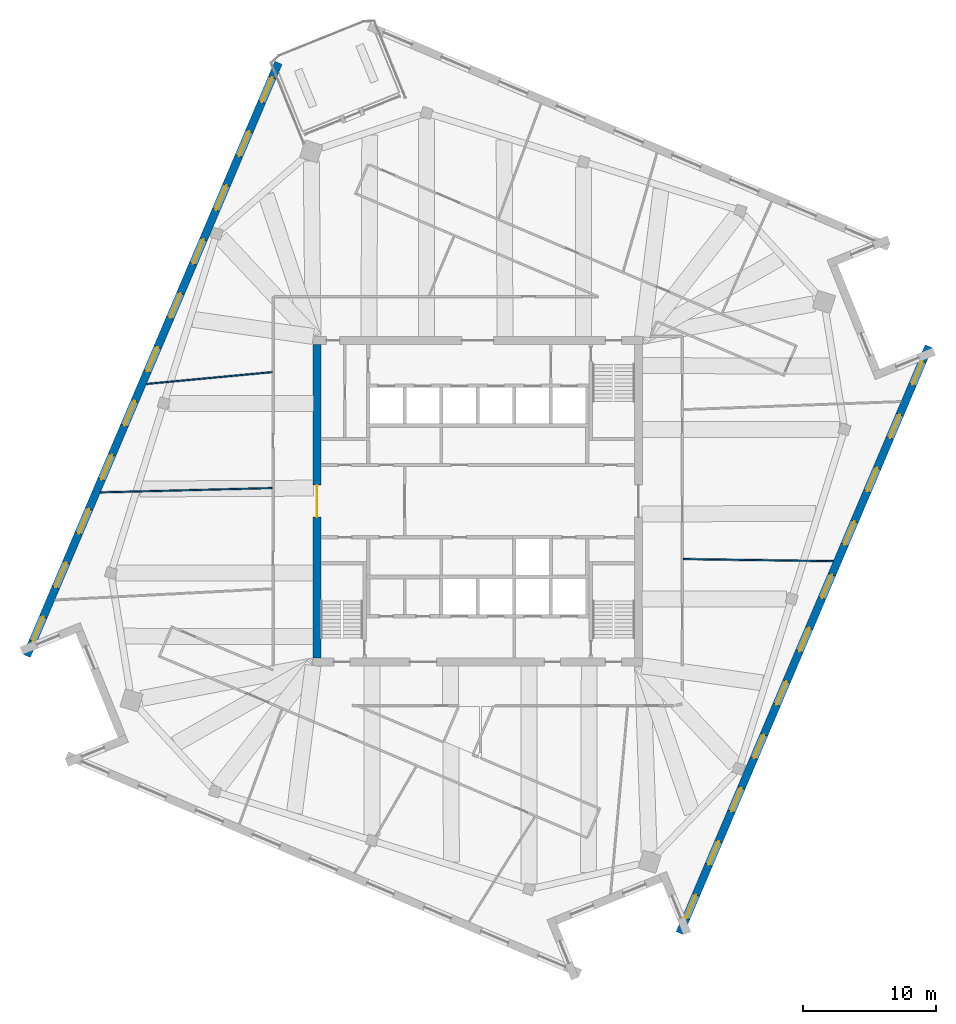
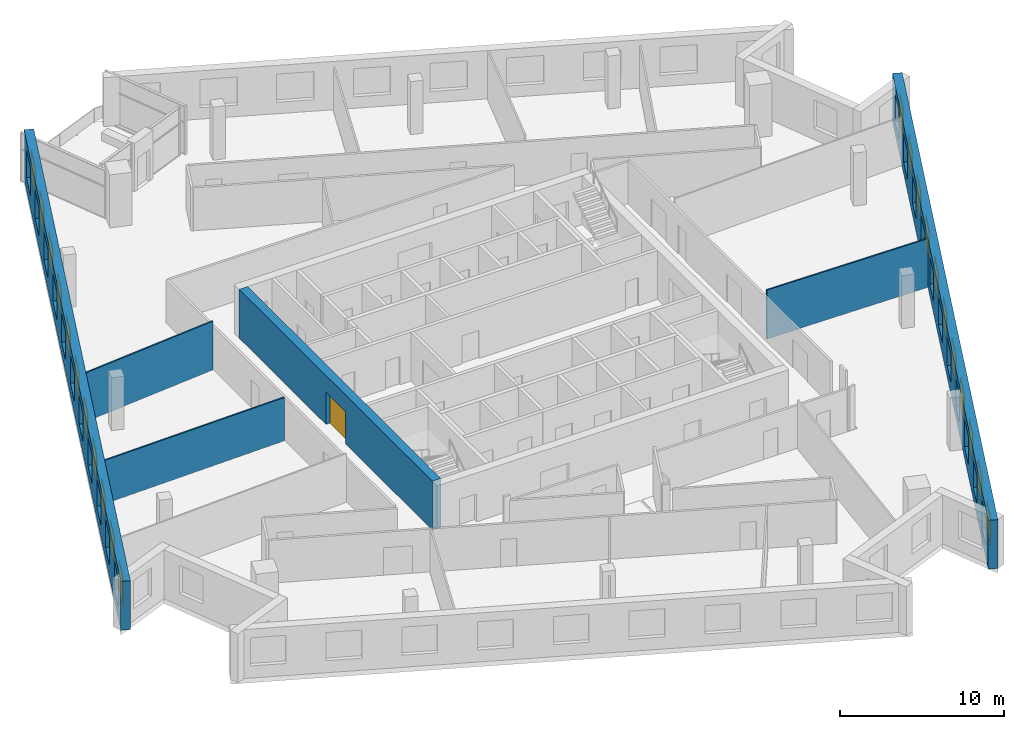
# One storey, part 8 of 13: 22 windows, 6 walls, 1 door, 23 openings.
"""IFC4 building model written with IfcOpenShell, lengths in metres."""

from ifc_helpers import new_model, si_unit, direction, frame, frame_2d, origin, place, context, subcontext, project, spatial, rectangle, extrude, material, layer, layer_set, type_object, element, fill, save


model = new_model("IFC4")

# Units and contexts
model_context = context("Model", 3, precision=1e-05, world=origin(), true_north=direction((0.0, 1.0)))
body_context = subcontext(model_context, "Body", "Model", "MODEL_VIEW")
ifc_project = project(units=[si_unit("LENGTHUNIT", "METRE"), si_unit("AREAUNIT", "SQUARE_METRE"), si_unit("VOLUMEUNIT", "CUBIC_METRE"), si_unit("PLANEANGLEUNIT", "RADIAN"), si_unit("MASSUNIT", "GRAM", prefix="KILO")], contexts=[model_context])

# Site, building, storey
site_placement = place(None, origin())
site = spatial("IfcSite", under=ifc_project, at=site_placement, CompositionType="ELEMENT")
building_placement = place(site_placement, origin())
building = spatial("IfcBuilding", under=site, at=building_placement, Name="Dilmun Exchange Tower", CompositionType="ELEMENT")
storey_placement = place(building_placement, frame((0.0, 0.0, 300.5)))
storey = spatial("IfcBuildingStorey", under=building, at=storey_placement, Name="L71", CompositionType="ELEMENT", Elevation=300.5)

# Wall, opening, door
ifc_material_1 = material(Name="Concrete C50/60", Category="concrete")
ifc_layer_1 = layer(ifc_material_1, 0.60009765625)
ifc_layer_set_1 = layer_set([ifc_layer_1], Name="Concrete C50/60")
wall_type_1 = type_object("IfcWallType", Name="Core shear wall 600 Concrete C50/60", PredefinedType="SHEAR", material=ifc_layer_set_1)
wall_1_placement = place(storey_placement, frame((-12.10009765625, -11.800048828125, 0.0), z_axis=(0.0, 0.0, 1.0), x_axis=(0.0, 1.0, 0.0)))
wall_1 = element("IfcWall", 1, at=wall_1_placement, inside=storey, type_object=wall_type_1, Name="L71 core shear wall W", PredefinedType="SHEAR", context=body_context, shape_type="SweptSolid", body=[
    extrude(rectangle(XDim=23.60009765625, YDim=0.60009765625, at=frame_2d((11.800048828125, 0.0))), origin(), (0.0, 0.0, 1.0), 3.64990234375),
])
opening_1_placement = place(wall_1_placement, frame((10.60009765625, 0.0, 0.0)))
opening_1 = element("IfcOpeningElement", 2, at=opening_1_placement, cuts=wall_1, Name="Opening CD1", PredefinedType="OPENING", context=body_context, shape_type="SweptSolid", body=[
    extrude(rectangle(XDim=2.39990234375, YDim=2.39990234375, at=frame_2d((1.199951171875, 1.199951171875))), frame((0.0, 0.31005859375, 0.0), z_axis=(0.0, -1.0, 0.0), x_axis=(1.0, 0.0, 0.0)), (0.0, 0.0, 1.0), 0.6201171875),
])
ifc_material_2 = material(Name="Fire-rated steel door set", Category="steel")
door_type = type_object("IfcDoorType", Name="Core lobby door 2400x2400", OperationType="DOUBLE_DOOR_DOUBLE_SWING", PredefinedType="DOOR", material=ifc_material_2)
door_placement = place(opening_1_placement, origin())
door = element("IfcDoor", 3, at=door_placement, inside=storey, type_object=door_type, Name="L71 door Central lift lobby", OperationType="SINGLE_SWING_LEFT", OverallHeight=2.39990234375, OverallWidth=2.39990234375, PredefinedType="DOOR", context=body_context, shape_type="SweptSolid", body=[
    extrude(rectangle(XDim=2.39990234375, YDim=2.39990234375, at=frame_2d((1.199951171875, 1.199951171875))), frame((0.0, 0.02490234375, 0.0), z_axis=(0.0, -1.0, 0.0), x_axis=(1.0, 0.0, 0.0)), (0.0, 0.0, 1.0), 0.050048828125),
])
fill(opening_1, door)

# Walls
ifc_material_3 = material(Name="Partition 100")
ifc_layer_2 = layer(ifc_material_3, 0.10009765625)
ifc_layer_set_2 = layer_set([ifc_layer_2], Name="Partition 100")
wall_type_2 = type_object("IfcWallType", Name="Partition 100", PredefinedType="PARTITIONING", material=ifc_layer_set_2)
wall_2_placement = place(storey_placement, frame((-28.39892578125, 0.65673828125, 0.0), z_axis=(0.0, 0.0, 1.0), x_axis=(0.999679226592, 0.025326743172, 0.0)))
element("IfcWall", 4, at=wall_2_placement, inside=storey, type_object=wall_type_2, Name="Partition", PredefinedType="PARTITIONING", context=body_context, shape_type="SweptSolid", body=[
    extrude(rectangle(XDim=12.9267578125, YDim=0.10009765625, at=frame_2d((6.46337890625, 0.0))), origin(), (0.0, 0.0, 1.0), 3.25),
])
wall_3_placement = place(storey_placement, frame((-24.934326171875, 8.819091796875, 0.0), z_axis=(0.0, 0.0, 1.0), x_axis=(0.995594865602, 0.0937596053, 0.0)))
element("IfcWall", 5, at=wall_3_placement, inside=storey, type_object=wall_type_2, Name="Partition", PredefinedType="PARTITIONING", context=body_context, shape_type="SweptSolid", body=[
    extrude(rectangle(XDim=9.496337890625, YDim=0.10009765625, at=frame_2d((4.748046875, 0.0))), origin(), (0.0, 0.0, 1.0), 3.64990234375),
])
wall_4_placement = place(storey_placement, frame((15.4755859375, -4.360107421875, 0.0), z_axis=(0.0, 0.0, 1.0), x_axis=(0.999902345391, -0.013974966252, 0.0)))
element("IfcWall", 6, at=wall_4_placement, inside=storey, type_object=wall_type_2, Name="Partition", PredefinedType="PARTITIONING", context=body_context, shape_type="SweptSolid", body=[
    extrude(rectangle(XDim=11.28564453125, YDim=0.10009765625, at=frame_2d((5.642822265625, 0.0))), origin(), (0.0, 0.0, 1.0), 3.64990234375),
])

# Wall, openings, windows
ifc_material_4 = material(Name="Precast concrete C50/60", Category="concrete")
ifc_layer_3 = layer(ifc_material_4, 0.60009765625)
ifc_layer_set_3 = layer_set([ifc_layer_3], Name="Precast concrete C50/60")
wall_type_3 = type_object("IfcWallType", Name="Precast stone-clad wall 600", PredefinedType="STANDARD", material=ifc_layer_set_3)
wall_5_placement = place(storey_placement, frame((-15.004638671875, 32.98486328125, 0.0), z_axis=(0.0, 0.0, 1.0), x_axis=(-0.39073034436, -0.920505186295, 0.0)))
wall_5 = element("IfcWall", 7, at=wall_5_placement, inside=storey, type_object=wall_type_3, Name="Facade wall L71-03", PredefinedType="STANDARD", context=body_context, shape_type="SweptSolid", body=[
    extrude(rectangle(XDim=48.489501953125, YDim=0.60009765625, at=frame_2d((24.24462890625, 0.0))), origin(), (0.0, 0.0, 1.0), 3.64990234375),
])
opening_2_placement = place(wall_5_placement, frame((1.2041015625, 0.0, 0.89990234375)))
opening_2 = element("IfcOpeningElement", 8, at=opening_2_placement, cuts=wall_5, Name="Opening W200-210", PredefinedType="OPENING", context=body_context, shape_type="SweptSolid", body=[
    extrude(rectangle(XDim=2.0, YDim=2.10009765625, at=frame_2d((1.0, 1.050048828125))), frame((0.0, 0.31005859375, 0.0), z_axis=(0.0, -1.0, 0.0), x_axis=(1.0, 0.0, 0.0)), (0.0, 0.0, 1.0), 0.6201171875),
])
opening_3_placement = place(wall_5_placement, frame((5.6123046875, 0.0, 0.89990234375)))
opening_3 = element("IfcOpeningElement", 9, at=opening_3_placement, cuts=wall_5, Name="Opening W200-210", PredefinedType="OPENING", context=body_context, shape_type="SweptSolid", body=[
    extrude(rectangle(XDim=2.0, YDim=2.10009765625, at=frame_2d((1.0, 1.050048828125))), frame((0.0, 0.31005859375, 0.0), z_axis=(0.0, -1.0, 0.0), x_axis=(1.0, 0.0, 0.0)), (0.0, 0.0, 1.0), 0.6201171875),
])
opening_4_placement = place(wall_5_placement, frame((10.0205078125, 0.0, 0.89990234375)))
opening_4 = element("IfcOpeningElement", 10, at=opening_4_placement, cuts=wall_5, Name="Opening W200-210", PredefinedType="OPENING", context=body_context, shape_type="SweptSolid", body=[
    extrude(rectangle(XDim=2.0, YDim=2.10009765625, at=frame_2d((1.0, 1.050048828125))), frame((0.0, 0.31005859375, 0.0), z_axis=(0.0, -1.0, 0.0), x_axis=(1.0, 0.0, 0.0)), (0.0, 0.0, 1.0), 0.6201171875),
])
opening_5_placement = place(wall_5_placement, frame((14.428466796875, 0.0, 0.89990234375)))
opening_5 = element("IfcOpeningElement", 11, at=opening_5_placement, cuts=wall_5, Name="Opening W200-210", PredefinedType="OPENING", context=body_context, shape_type="SweptSolid", body=[
    extrude(rectangle(XDim=2.0, YDim=2.10009765625, at=frame_2d((1.0, 1.050048828125))), frame((0.0, 0.31005859375, 0.0), z_axis=(0.0, -1.0, 0.0), x_axis=(1.0, 0.0, 0.0)), (0.0, 0.0, 1.0), 0.6201171875),
])
opening_6_placement = place(wall_5_placement, frame((18.836669921875, 0.0, 0.89990234375)))
opening_6 = element("IfcOpeningElement", 12, at=opening_6_placement, cuts=wall_5, Name="Opening W200-210", PredefinedType="OPENING", context=body_context, shape_type="SweptSolid", body=[
    extrude(rectangle(XDim=2.0, YDim=2.10009765625, at=frame_2d((1.0, 1.050048828125))), frame((0.0, 0.31005859375, 0.0), z_axis=(0.0, -1.0, 0.0), x_axis=(1.0, 0.0, 0.0)), (0.0, 0.0, 1.0), 0.6201171875),
])
opening_7_placement = place(wall_5_placement, frame((23.244873046875, 0.0, 0.89990234375)))
opening_7 = element("IfcOpeningElement", 13, at=opening_7_placement, cuts=wall_5, Name="Opening W200-210", PredefinedType="OPENING", context=body_context, shape_type="SweptSolid", body=[
    extrude(rectangle(XDim=2.0, YDim=2.10009765625, at=frame_2d((1.0, 1.050048828125))), frame((0.0, 0.31005859375, 0.0), z_axis=(0.0, -1.0, 0.0), x_axis=(1.0, 0.0, 0.0)), (0.0, 0.0, 1.0), 0.6201171875),
])
opening_8_placement = place(wall_5_placement, frame((27.65283203125, 0.0, 0.89990234375)))
opening_8 = element("IfcOpeningElement", 14, at=opening_8_placement, cuts=wall_5, Name="Opening W200-210", PredefinedType="OPENING", context=body_context, shape_type="SweptSolid", body=[
    extrude(rectangle(XDim=2.0, YDim=2.10009765625, at=frame_2d((1.0, 1.050048828125))), frame((0.0, 0.31005859375, 0.0), z_axis=(0.0, -1.0, 0.0), x_axis=(1.0, 0.0, 0.0)), (0.0, 0.0, 1.0), 0.6201171875),
])
opening_9_placement = place(wall_5_placement, frame((32.06103515625, 0.0, 0.89990234375)))
opening_9 = element("IfcOpeningElement", 15, at=opening_9_placement, cuts=wall_5, Name="Opening W200-210", PredefinedType="OPENING", context=body_context, shape_type="SweptSolid", body=[
    extrude(rectangle(XDim=2.0, YDim=2.10009765625, at=frame_2d((1.0, 1.050048828125))), frame((0.0, 0.31005859375, 0.0), z_axis=(0.0, -1.0, 0.0), x_axis=(1.0, 0.0, 0.0)), (0.0, 0.0, 1.0), 0.6201171875),
])
opening_10_placement = place(wall_5_placement, frame((36.46923828125, 0.0, 0.89990234375)))
opening_10 = element("IfcOpeningElement", 16, at=opening_10_placement, cuts=wall_5, Name="Opening W200-210", PredefinedType="OPENING", context=body_context, shape_type="SweptSolid", body=[
    extrude(rectangle(XDim=2.0, YDim=2.10009765625, at=frame_2d((1.0, 1.050048828125))), frame((0.0, 0.31005859375, 0.0), z_axis=(0.0, -1.0, 0.0), x_axis=(1.0, 0.0, 0.0)), (0.0, 0.0, 1.0), 0.6201171875),
])
opening_11_placement = place(wall_5_placement, frame((40.87744140625, 0.0, 0.89990234375)))
opening_11 = element("IfcOpeningElement", 17, at=opening_11_placement, cuts=wall_5, Name="Opening W200-210", PredefinedType="OPENING", context=body_context, shape_type="SweptSolid", body=[
    extrude(rectangle(XDim=2.0, YDim=2.10009765625, at=frame_2d((1.0, 1.050048828125))), frame((0.0, 0.31005859375, 0.0), z_axis=(0.0, -1.0, 0.0), x_axis=(1.0, 0.0, 0.0)), (0.0, 0.0, 1.0), 0.6201171875),
])
opening_12_placement = place(wall_5_placement, frame((45.285400390625, 0.0, 0.89990234375)))
opening_12 = element("IfcOpeningElement", 18, at=opening_12_placement, cuts=wall_5, Name="Opening W200-210", PredefinedType="OPENING", context=body_context, shape_type="SweptSolid", body=[
    extrude(rectangle(XDim=2.0, YDim=2.10009765625, at=frame_2d((1.0, 1.050048828125))), frame((0.0, 0.31005859375, 0.0), z_axis=(0.0, -1.0, 0.0), x_axis=(1.0, 0.0, 0.0)), (0.0, 0.0, 1.0), 0.6201171875),
])
ifc_material_5 = material(Name="Clear low-emissivity glass in aluminium frame", Category="aluminium")
window_type_1 = type_object("IfcWindowType", Name="Punched window 2000 x 2100", PartitioningType="DOUBLE_PANEL_VERTICAL", PredefinedType="WINDOW", material=ifc_material_5)
window_1_placement = place(opening_2_placement, origin())
window_1 = element("IfcWindow", 19, at=window_1_placement, inside=storey, type_object=window_type_1, Name="Window 4.1", OverallHeight=2.10009765625, OverallWidth=2.0, PartitioningType="SINGLE_PANEL", PredefinedType="WINDOW", context=body_context, shape_type="SweptSolid", body=[
    extrude(rectangle(XDim=2.0, YDim=2.10009765625, at=frame_2d((1.0, 1.050048828125))), frame((0.0, 0.030029296875, 0.0), z_axis=(0.0, -1.0, 0.0), x_axis=(1.0, 0.0, 0.0)), (0.0, 0.0, 1.0), 0.06005859375),
])
fill(opening_2, window_1)
window_2_placement = place(opening_3_placement, origin())
window_2 = element("IfcWindow", 20, at=window_2_placement, inside=storey, type_object=window_type_1, Name="Window 4.2", OverallHeight=2.10009765625, OverallWidth=2.0, PartitioningType="SINGLE_PANEL", PredefinedType="WINDOW", context=body_context, shape_type="SweptSolid", body=[
    extrude(rectangle(XDim=2.0, YDim=2.10009765625, at=frame_2d((1.0, 1.050048828125))), frame((0.0, 0.030029296875, 0.0), z_axis=(0.0, -1.0, 0.0), x_axis=(1.0, 0.0, 0.0)), (0.0, 0.0, 1.0), 0.06005859375),
])
fill(opening_3, window_2)
window_3_placement = place(opening_4_placement, origin())
window_3 = element("IfcWindow", 21, at=window_3_placement, inside=storey, type_object=window_type_1, Name="Window 4.3", OverallHeight=2.10009765625, OverallWidth=2.0, PartitioningType="SINGLE_PANEL", PredefinedType="WINDOW", context=body_context, shape_type="SweptSolid", body=[
    extrude(rectangle(XDim=2.0, YDim=2.10009765625, at=frame_2d((1.0, 1.050048828125))), frame((0.0, 0.030029296875, 0.0), z_axis=(0.0, -1.0, 0.0), x_axis=(1.0, 0.0, 0.0)), (0.0, 0.0, 1.0), 0.06005859375),
])
fill(opening_4, window_3)
window_4_placement = place(opening_5_placement, origin())
window_4 = element("IfcWindow", 22, at=window_4_placement, inside=storey, type_object=window_type_1, Name="Window 4.4", OverallHeight=2.10009765625, OverallWidth=2.0, PartitioningType="SINGLE_PANEL", PredefinedType="WINDOW", context=body_context, shape_type="SweptSolid", body=[
    extrude(rectangle(XDim=2.0, YDim=2.10009765625, at=frame_2d((1.0, 1.050048828125))), frame((0.0, 0.030029296875, 0.0), z_axis=(0.0, -1.0, 0.0), x_axis=(1.0, 0.0, 0.0)), (0.0, 0.0, 1.0), 0.06005859375),
])
fill(opening_5, window_4)
window_5_placement = place(opening_6_placement, origin())
window_5 = element("IfcWindow", 23, at=window_5_placement, inside=storey, type_object=window_type_1, Name="Window 4.5", OverallHeight=2.10009765625, OverallWidth=2.0, PartitioningType="SINGLE_PANEL", PredefinedType="WINDOW", context=body_context, shape_type="SweptSolid", body=[
    extrude(rectangle(XDim=2.0, YDim=2.10009765625, at=frame_2d((1.0, 1.050048828125))), frame((0.0, 0.030029296875, 0.0), z_axis=(0.0, -1.0, 0.0), x_axis=(1.0, 0.0, 0.0)), (0.0, 0.0, 1.0), 0.06005859375),
])
fill(opening_6, window_5)
window_6_placement = place(opening_7_placement, origin())
window_6 = element("IfcWindow", 24, at=window_6_placement, inside=storey, type_object=window_type_1, Name="Window 4.6", OverallHeight=2.10009765625, OverallWidth=2.0, PartitioningType="SINGLE_PANEL", PredefinedType="WINDOW", context=body_context, shape_type="SweptSolid", body=[
    extrude(rectangle(XDim=2.0, YDim=2.10009765625, at=frame_2d((1.0, 1.050048828125))), frame((0.0, 0.030029296875, 0.0), z_axis=(0.0, -1.0, 0.0), x_axis=(1.0, 0.0, 0.0)), (0.0, 0.0, 1.0), 0.06005859375),
])
fill(opening_7, window_6)
window_7_placement = place(opening_8_placement, origin())
window_7 = element("IfcWindow", 25, at=window_7_placement, inside=storey, type_object=window_type_1, Name="Window 4.7", OverallHeight=2.10009765625, OverallWidth=2.0, PartitioningType="SINGLE_PANEL", PredefinedType="WINDOW", context=body_context, shape_type="SweptSolid", body=[
    extrude(rectangle(XDim=2.0, YDim=2.10009765625, at=frame_2d((1.0, 1.050048828125))), frame((0.0, 0.030029296875, 0.0), z_axis=(0.0, -1.0, 0.0), x_axis=(1.0, 0.0, 0.0)), (0.0, 0.0, 1.0), 0.06005859375),
])
fill(opening_8, window_7)
window_8_placement = place(opening_9_placement, origin())
window_8 = element("IfcWindow", 26, at=window_8_placement, inside=storey, type_object=window_type_1, Name="Window 4.8", OverallHeight=2.10009765625, OverallWidth=2.0, PartitioningType="SINGLE_PANEL", PredefinedType="WINDOW", context=body_context, shape_type="SweptSolid", body=[
    extrude(rectangle(XDim=2.0, YDim=2.10009765625, at=frame_2d((1.0, 1.050048828125))), frame((0.0, 0.030029296875, 0.0), z_axis=(0.0, -1.0, 0.0), x_axis=(1.0, 0.0, 0.0)), (0.0, 0.0, 1.0), 0.06005859375),
])
fill(opening_9, window_8)
window_9_placement = place(opening_10_placement, origin())
window_9 = element("IfcWindow", 27, at=window_9_placement, inside=storey, type_object=window_type_1, Name="Window 4.9", OverallHeight=2.10009765625, OverallWidth=2.0, PartitioningType="SINGLE_PANEL", PredefinedType="WINDOW", context=body_context, shape_type="SweptSolid", body=[
    extrude(rectangle(XDim=2.0, YDim=2.10009765625, at=frame_2d((1.0, 1.050048828125))), frame((0.0, 0.030029296875, 0.0), z_axis=(0.0, -1.0, 0.0), x_axis=(1.0, 0.0, 0.0)), (0.0, 0.0, 1.0), 0.06005859375),
])
fill(opening_10, window_9)
window_10_placement = place(opening_11_placement, origin())
window_10 = element("IfcWindow", 28, at=window_10_placement, inside=storey, type_object=window_type_1, Name="Window 4.10", OverallHeight=2.10009765625, OverallWidth=2.0, PartitioningType="SINGLE_PANEL", PredefinedType="WINDOW", context=body_context, shape_type="SweptSolid", body=[
    extrude(rectangle(XDim=2.0, YDim=2.10009765625, at=frame_2d((1.0, 1.050048828125))), frame((0.0, 0.030029296875, 0.0), z_axis=(0.0, -1.0, 0.0), x_axis=(1.0, 0.0, 0.0)), (0.0, 0.0, 1.0), 0.06005859375),
])
fill(opening_11, window_10)
window_11_placement = place(opening_12_placement, origin())
window_11 = element("IfcWindow", 29, at=window_11_placement, inside=storey, type_object=window_type_1, Name="Window 4.11", OverallHeight=2.10009765625, OverallWidth=2.0, PartitioningType="SINGLE_PANEL", PredefinedType="WINDOW", context=body_context, shape_type="SweptSolid", body=[
    extrude(rectangle(XDim=2.0, YDim=2.10009765625, at=frame_2d((1.0, 1.050048828125))), frame((0.0, 0.030029296875, 0.0), z_axis=(0.0, -1.0, 0.0), x_axis=(1.0, 0.0, 0.0)), (0.0, 0.0, 1.0), 0.06005859375),
])
fill(opening_12, window_11)

wall_6_placement = place(storey_placement, frame((15.2041015625, -32.51513671875, 0.0), z_axis=(0.0, 0.0, 1.0), x_axis=(0.390728997462, 0.920505758017, 0.0)))
wall_6 = element("IfcWall", 30, at=wall_6_placement, inside=storey, type_object=wall_type_3, Name="Facade wall L71-11", PredefinedType="STANDARD", context=body_context, shape_type="SweptSolid", body=[
    extrude(rectangle(XDim=47.97900390625, YDim=0.60009765625, at=frame_2d((23.989501953125, 0.0))), origin(), (0.0, 0.0, 1.0), 3.64990234375),
])
opening_13_placement = place(wall_6_placement, frame((1.23095703125, 0.0, 0.89990234375)))
opening_13 = element("IfcOpeningElement", 31, at=opening_13_placement, cuts=wall_6, Name="Opening W190-210", PredefinedType="OPENING", context=body_context, shape_type="SweptSolid", body=[
    extrude(rectangle(XDim=1.89990234375, YDim=2.10009765625, at=frame_2d((0.949951171875, 1.050048828125))), frame((0.0, 0.31005859375, 0.0), z_axis=(0.0, -1.0, 0.0), x_axis=(1.0, 0.0, 0.0)), (0.0, 0.0, 1.0), 0.6201171875),
])
opening_14_placement = place(wall_6_placement, frame((5.592529296875, 0.0, 0.89990234375)))
opening_14 = element("IfcOpeningElement", 32, at=opening_14_placement, cuts=wall_6, Name="Opening W190-210", PredefinedType="OPENING", context=body_context, shape_type="SweptSolid", body=[
    extrude(rectangle(XDim=1.89990234375, YDim=2.10009765625, at=frame_2d((0.949951171875, 1.050048828125))), frame((0.0, 0.31005859375, 0.0), z_axis=(0.0, -1.0, 0.0), x_axis=(1.0, 0.0, 0.0)), (0.0, 0.0, 1.0), 0.6201171875),
])
opening_15_placement = place(wall_6_placement, frame((9.954345703125, 0.0, 0.89990234375)))
opening_15 = element("IfcOpeningElement", 33, at=opening_15_placement, cuts=wall_6, Name="Opening W190-210", PredefinedType="OPENING", context=body_context, shape_type="SweptSolid", body=[
    extrude(rectangle(XDim=1.89990234375, YDim=2.10009765625, at=frame_2d((0.949951171875, 1.050048828125))), frame((0.0, 0.31005859375, 0.0), z_axis=(0.0, -1.0, 0.0), x_axis=(1.0, 0.0, 0.0)), (0.0, 0.0, 1.0), 0.6201171875),
])
opening_16_placement = place(wall_6_placement, frame((14.316162109375, 0.0, 0.89990234375)))
opening_16 = element("IfcOpeningElement", 34, at=opening_16_placement, cuts=wall_6, Name="Opening W190-210", PredefinedType="OPENING", context=body_context, shape_type="SweptSolid", body=[
    extrude(rectangle(XDim=1.89990234375, YDim=2.10009765625, at=frame_2d((0.949951171875, 1.050048828125))), frame((0.0, 0.31005859375, 0.0), z_axis=(0.0, -1.0, 0.0), x_axis=(1.0, 0.0, 0.0)), (0.0, 0.0, 1.0), 0.6201171875),
])
opening_17_placement = place(wall_6_placement, frame((18.677734375, 0.0, 0.89990234375)))
opening_17 = element("IfcOpeningElement", 35, at=opening_17_placement, cuts=wall_6, Name="Opening W190-210", PredefinedType="OPENING", context=body_context, shape_type="SweptSolid", body=[
    extrude(rectangle(XDim=1.89990234375, YDim=2.10009765625, at=frame_2d((0.949951171875, 1.050048828125))), frame((0.0, 0.31005859375, 0.0), z_axis=(0.0, -1.0, 0.0), x_axis=(1.0, 0.0, 0.0)), (0.0, 0.0, 1.0), 0.6201171875),
])
opening_18_placement = place(wall_6_placement, frame((23.03955078125, 0.0, 0.89990234375)))
opening_18 = element("IfcOpeningElement", 36, at=opening_18_placement, cuts=wall_6, Name="Opening W190-210", PredefinedType="OPENING", context=body_context, shape_type="SweptSolid", body=[
    extrude(rectangle(XDim=1.89990234375, YDim=2.10009765625, at=frame_2d((0.949951171875, 1.050048828125))), frame((0.0, 0.31005859375, 0.0), z_axis=(0.0, -1.0, 0.0), x_axis=(1.0, 0.0, 0.0)), (0.0, 0.0, 1.0), 0.6201171875),
])
opening_19_placement = place(wall_6_placement, frame((27.4013671875, 0.0, 0.89990234375)))
opening_19 = element("IfcOpeningElement", 37, at=opening_19_placement, cuts=wall_6, Name="Opening W190-210", PredefinedType="OPENING", context=body_context, shape_type="SweptSolid", body=[
    extrude(rectangle(XDim=1.89990234375, YDim=2.10009765625, at=frame_2d((0.949951171875, 1.050048828125))), frame((0.0, 0.31005859375, 0.0), z_axis=(0.0, -1.0, 0.0), x_axis=(1.0, 0.0, 0.0)), (0.0, 0.0, 1.0), 0.6201171875),
])
opening_20_placement = place(wall_6_placement, frame((31.76318359375, 0.0, 0.89990234375)))
opening_20 = element("IfcOpeningElement", 38, at=opening_20_placement, cuts=wall_6, Name="Opening W190-210", PredefinedType="OPENING", context=body_context, shape_type="SweptSolid", body=[
    extrude(rectangle(XDim=1.89990234375, YDim=2.10009765625, at=frame_2d((0.949951171875, 1.050048828125))), frame((0.0, 0.31005859375, 0.0), z_axis=(0.0, -1.0, 0.0), x_axis=(1.0, 0.0, 0.0)), (0.0, 0.0, 1.0), 0.6201171875),
])
opening_21_placement = place(wall_6_placement, frame((36.124755859375, 0.0, 0.89990234375)))
opening_21 = element("IfcOpeningElement", 39, at=opening_21_placement, cuts=wall_6, Name="Opening W190-210", PredefinedType="OPENING", context=body_context, shape_type="SweptSolid", body=[
    extrude(rectangle(XDim=1.89990234375, YDim=2.10009765625, at=frame_2d((0.949951171875, 1.050048828125))), frame((0.0, 0.31005859375, 0.0), z_axis=(0.0, -1.0, 0.0), x_axis=(1.0, 0.0, 0.0)), (0.0, 0.0, 1.0), 0.6201171875),
])
opening_22_placement = place(wall_6_placement, frame((40.486572265625, 0.0, 0.89990234375)))
opening_22 = element("IfcOpeningElement", 40, at=opening_22_placement, cuts=wall_6, Name="Opening W190-210", PredefinedType="OPENING", context=body_context, shape_type="SweptSolid", body=[
    extrude(rectangle(XDim=1.89990234375, YDim=2.10009765625, at=frame_2d((0.949951171875, 1.050048828125))), frame((0.0, 0.31005859375, 0.0), z_axis=(0.0, -1.0, 0.0), x_axis=(1.0, 0.0, 0.0)), (0.0, 0.0, 1.0), 0.6201171875),
])
opening_23_placement = place(wall_6_placement, frame((44.848388671875, 0.0, 0.89990234375)))
opening_23 = element("IfcOpeningElement", 41, at=opening_23_placement, cuts=wall_6, Name="Opening W190-210", PredefinedType="OPENING", context=body_context, shape_type="SweptSolid", body=[
    extrude(rectangle(XDim=1.89990234375, YDim=2.10009765625, at=frame_2d((0.949951171875, 1.050048828125))), frame((0.0, 0.31005859375, 0.0), z_axis=(0.0, -1.0, 0.0), x_axis=(1.0, 0.0, 0.0)), (0.0, 0.0, 1.0), 0.6201171875),
])
window_type_2 = type_object("IfcWindowType", Name="Punched window 1900 x 2100", PartitioningType="DOUBLE_PANEL_VERTICAL", PredefinedType="WINDOW", material=ifc_material_5)
window_12_placement = place(opening_13_placement, origin())
window_12 = element("IfcWindow", 42, at=window_12_placement, inside=storey, type_object=window_type_2, Name="Window 12.1", OverallHeight=2.10009765625, OverallWidth=1.89990234375, PartitioningType="SINGLE_PANEL", PredefinedType="WINDOW", context=body_context, shape_type="SweptSolid", body=[
    extrude(rectangle(XDim=1.89990234375, YDim=2.10009765625, at=frame_2d((0.949951171875, 1.050048828125))), frame((0.0, 0.030029296875, 0.0), z_axis=(0.0, -1.0, 0.0), x_axis=(1.0, 0.0, 0.0)), (0.0, 0.0, 1.0), 0.06005859375),
])
fill(opening_13, window_12)
window_13_placement = place(opening_14_placement, origin())
window_13 = element("IfcWindow", 43, at=window_13_placement, inside=storey, type_object=window_type_2, Name="Window 12.2", OverallHeight=2.10009765625, OverallWidth=1.89990234375, PartitioningType="SINGLE_PANEL", PredefinedType="WINDOW", context=body_context, shape_type="SweptSolid", body=[
    extrude(rectangle(XDim=1.89990234375, YDim=2.10009765625, at=frame_2d((0.949951171875, 1.050048828125))), frame((0.0, 0.030029296875, 0.0), z_axis=(0.0, -1.0, 0.0), x_axis=(1.0, 0.0, 0.0)), (0.0, 0.0, 1.0), 0.06005859375),
])
fill(opening_14, window_13)
window_14_placement = place(opening_15_placement, origin())
window_14 = element("IfcWindow", 44, at=window_14_placement, inside=storey, type_object=window_type_2, Name="Window 12.3", OverallHeight=2.10009765625, OverallWidth=1.89990234375, PartitioningType="SINGLE_PANEL", PredefinedType="WINDOW", context=body_context, shape_type="SweptSolid", body=[
    extrude(rectangle(XDim=1.89990234375, YDim=2.10009765625, at=frame_2d((0.949951171875, 1.050048828125))), frame((0.0, 0.030029296875, 0.0), z_axis=(0.0, -1.0, 0.0), x_axis=(1.0, 0.0, 0.0)), (0.0, 0.0, 1.0), 0.06005859375),
])
fill(opening_15, window_14)
window_15_placement = place(opening_16_placement, origin())
window_15 = element("IfcWindow", 45, at=window_15_placement, inside=storey, type_object=window_type_2, Name="Window 12.4", OverallHeight=2.10009765625, OverallWidth=1.89990234375, PartitioningType="SINGLE_PANEL", PredefinedType="WINDOW", context=body_context, shape_type="SweptSolid", body=[
    extrude(rectangle(XDim=1.89990234375, YDim=2.10009765625, at=frame_2d((0.949951171875, 1.050048828125))), frame((0.0, 0.030029296875, 0.0), z_axis=(0.0, -1.0, 0.0), x_axis=(1.0, 0.0, 0.0)), (0.0, 0.0, 1.0), 0.06005859375),
])
fill(opening_16, window_15)
window_16_placement = place(opening_17_placement, origin())
window_16 = element("IfcWindow", 46, at=window_16_placement, inside=storey, type_object=window_type_2, Name="Window 12.5", OverallHeight=2.10009765625, OverallWidth=1.89990234375, PartitioningType="SINGLE_PANEL", PredefinedType="WINDOW", context=body_context, shape_type="SweptSolid", body=[
    extrude(rectangle(XDim=1.89990234375, YDim=2.10009765625, at=frame_2d((0.949951171875, 1.050048828125))), frame((0.0, 0.030029296875, 0.0), z_axis=(0.0, -1.0, 0.0), x_axis=(1.0, 0.0, 0.0)), (0.0, 0.0, 1.0), 0.06005859375),
])
fill(opening_17, window_16)
window_17_placement = place(opening_18_placement, origin())
window_17 = element("IfcWindow", 47, at=window_17_placement, inside=storey, type_object=window_type_2, Name="Window 12.6", OverallHeight=2.10009765625, OverallWidth=1.89990234375, PartitioningType="SINGLE_PANEL", PredefinedType="WINDOW", context=body_context, shape_type="SweptSolid", body=[
    extrude(rectangle(XDim=1.89990234375, YDim=2.10009765625, at=frame_2d((0.949951171875, 1.050048828125))), frame((0.0, 0.030029296875, 0.0), z_axis=(0.0, -1.0, 0.0), x_axis=(1.0, 0.0, 0.0)), (0.0, 0.0, 1.0), 0.06005859375),
])
fill(opening_18, window_17)
window_18_placement = place(opening_19_placement, origin())
window_18 = element("IfcWindow", 48, at=window_18_placement, inside=storey, type_object=window_type_2, Name="Window 12.7", OverallHeight=2.10009765625, OverallWidth=1.89990234375, PartitioningType="SINGLE_PANEL", PredefinedType="WINDOW", context=body_context, shape_type="SweptSolid", body=[
    extrude(rectangle(XDim=1.89990234375, YDim=2.10009765625, at=frame_2d((0.949951171875, 1.050048828125))), frame((0.0, 0.030029296875, 0.0), z_axis=(0.0, -1.0, 0.0), x_axis=(1.0, 0.0, 0.0)), (0.0, 0.0, 1.0), 0.06005859375),
])
fill(opening_19, window_18)
window_19_placement = place(opening_20_placement, origin())
window_19 = element("IfcWindow", 49, at=window_19_placement, inside=storey, type_object=window_type_2, Name="Window 12.8", OverallHeight=2.10009765625, OverallWidth=1.89990234375, PartitioningType="SINGLE_PANEL", PredefinedType="WINDOW", context=body_context, shape_type="SweptSolid", body=[
    extrude(rectangle(XDim=1.89990234375, YDim=2.10009765625, at=frame_2d((0.949951171875, 1.050048828125))), frame((0.0, 0.030029296875, 0.0), z_axis=(0.0, -1.0, 0.0), x_axis=(1.0, 0.0, 0.0)), (0.0, 0.0, 1.0), 0.06005859375),
])
fill(opening_20, window_19)
window_20_placement = place(opening_21_placement, origin())
window_20 = element("IfcWindow", 50, at=window_20_placement, inside=storey, type_object=window_type_2, Name="Window 12.9", OverallHeight=2.10009765625, OverallWidth=1.89990234375, PartitioningType="SINGLE_PANEL", PredefinedType="WINDOW", context=body_context, shape_type="SweptSolid", body=[
    extrude(rectangle(XDim=1.89990234375, YDim=2.10009765625, at=frame_2d((0.949951171875, 1.050048828125))), frame((0.0, 0.030029296875, 0.0), z_axis=(0.0, -1.0, 0.0), x_axis=(1.0, 0.0, 0.0)), (0.0, 0.0, 1.0), 0.06005859375),
])
fill(opening_21, window_20)
window_21_placement = place(opening_22_placement, origin())
window_21 = element("IfcWindow", 51, at=window_21_placement, inside=storey, type_object=window_type_2, Name="Window 12.10", OverallHeight=2.10009765625, OverallWidth=1.89990234375, PartitioningType="SINGLE_PANEL", PredefinedType="WINDOW", context=body_context, shape_type="SweptSolid", body=[
    extrude(rectangle(XDim=1.89990234375, YDim=2.10009765625, at=frame_2d((0.949951171875, 1.050048828125))), frame((0.0, 0.030029296875, 0.0), z_axis=(0.0, -1.0, 0.0), x_axis=(1.0, 0.0, 0.0)), (0.0, 0.0, 1.0), 0.06005859375),
])
fill(opening_22, window_21)
window_22_placement = place(opening_23_placement, origin())
window_22 = element("IfcWindow", 52, at=window_22_placement, inside=storey, type_object=window_type_2, Name="Window 12.11", OverallHeight=2.10009765625, OverallWidth=1.89990234375, PartitioningType="SINGLE_PANEL", PredefinedType="WINDOW", context=body_context, shape_type="SweptSolid", body=[
    extrude(rectangle(XDim=1.89990234375, YDim=2.10009765625, at=frame_2d((0.949951171875, 1.050048828125))), frame((0.0, 0.030029296875, 0.0), z_axis=(0.0, -1.0, 0.0), x_axis=(1.0, 0.0, 0.0)), (0.0, 0.0, 1.0), 0.06005859375),
])
fill(opening_23, window_22)

save(model, "model.ifc")
